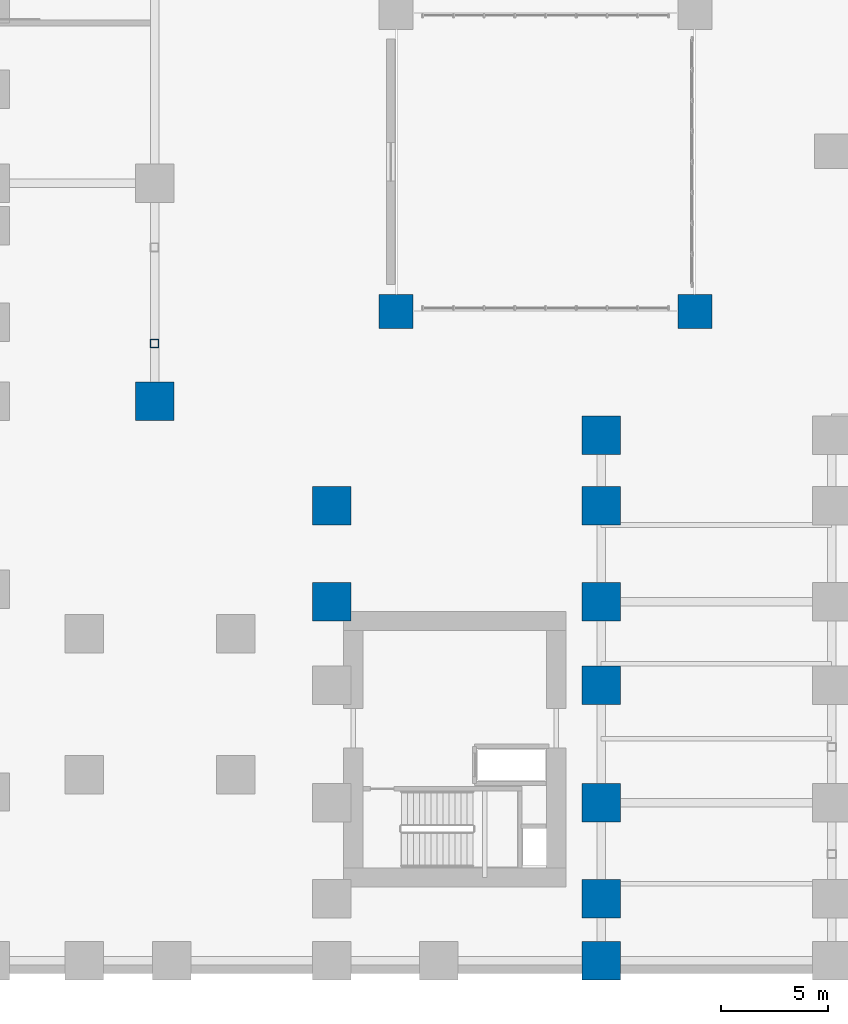
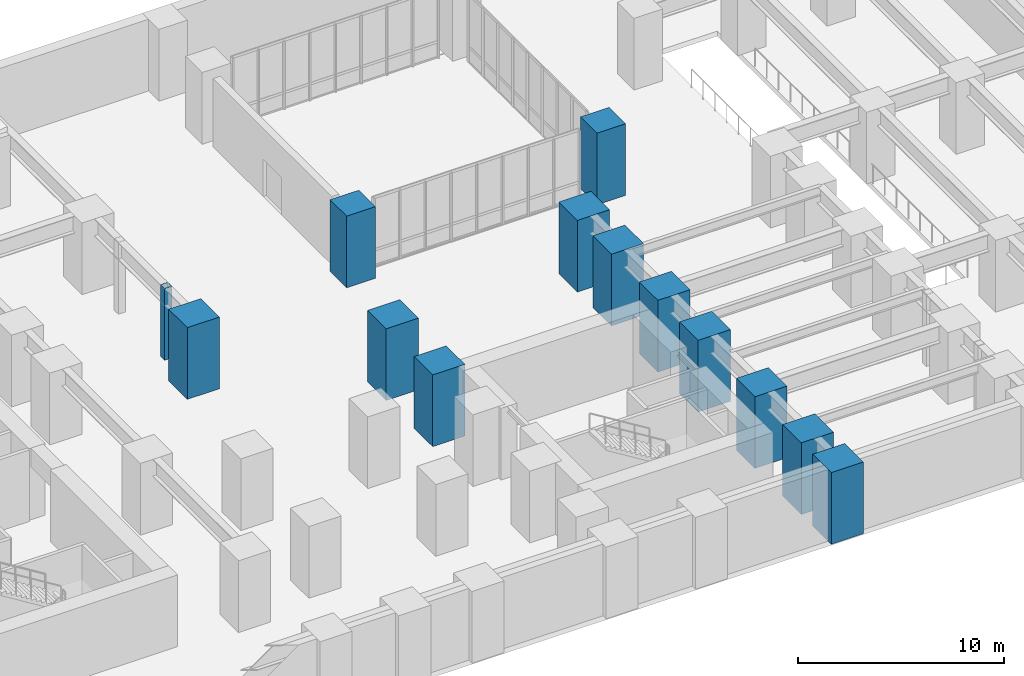
# One storey, part 2 of 18: 13 columns.
"""IFC4 building model written with IfcOpenShell, lengths in metres."""

from ifc_helpers import new_model, si_unit, direction, frame, origin, origin_2d, place, context, subcontext, project, spatial, rectangle, hollow_rectangle, extrude, source, transform, mapped, material, material_profile, profile_set, type_object, element, save


model = new_model("IFC4")

# Units and contexts
model_context = context("Model", 3, precision=1e-05, world=origin(), true_north=direction((0.0, 1.0)))
body_context = subcontext(model_context, "Body", "Model", "MODEL_VIEW")
ifc_project = project(units=[si_unit("LENGTHUNIT", "METRE"), si_unit("AREAUNIT", "SQUARE_METRE"), si_unit("VOLUMEUNIT", "CUBIC_METRE"), si_unit("PLANEANGLEUNIT", "RADIAN"), si_unit("MASSUNIT", "GRAM", prefix="KILO")], contexts=[model_context])

# Site, building, storey
site_placement = place(None, origin())
site = spatial("IfcSite", under=ifc_project, at=site_placement, CompositionType="ELEMENT")
building_placement = place(site_placement, origin())
building = spatial("IfcBuilding", under=site, at=building_placement, Name="Kharzan Plaza Tower", CompositionType="ELEMENT")
storey_placement = place(building_placement, frame((0.0, 0.0, -4.5)))
storey = spatial("IfcBuildingStorey", under=building, at=storey_placement, Name="B01", CompositionType="ELEMENT", Elevation=-4.5)

# Columns
ifc_material_1 = material(Name="Concrete C60/75", Category="concrete")
ifc_material_profile_1 = material_profile(ifc_material_1, rectangle(XDim=1.60009765625, YDim=1.60009765625, at=origin_2d()), Name="RC-MC1600x1600")
ifc_profile_set_1 = profile_set([ifc_material_profile_1], Name="Concrete C60/75")
column_type_1 = type_object("IfcColumnType", Name="COL-BC1600", PredefinedType="COLUMN", material=ifc_profile_set_1)
shared_shape_1 = source(origin(), body_context, "Body", "SweptSolid", [
    extrude(rectangle(XDim=1.60009765625, YDim=1.60009765625, at=origin_2d()), origin(), (0.0, 0.0, 1.0), 4.239990234375),
])
for number, where, z_axis, x_axis, name in (
    (1, (38.0, 31.0, 0.0), (0.0, 0.0, 1.0), (1.0, 0.0, 0.0), "B01 Structural Column BC03"),
    (2, (52.0, 31.0, 0.0), (0.0, 0.0, 1.0), (1.0, 0.0, 0.0), "B01 Structural Column BC04"),
):
    element("IfcColumn", number, at=place(storey_placement, frame(where, z_axis=z_axis, x_axis=x_axis)), inside=storey, type_object=column_type_1, Name=name, PredefinedType="COLUMN", context=body_context, shape_type="MappedRepresentation", body=[
        mapped(shared_shape_1, transform((0.0, 0.0, 0.0), x_axis=(1.0, 0.0, 0.0), y_axis=(0.0, 1.0, 0.0), z_axis=(0.0, 0.0, 1.0))),
    ])
ifc_material_profile_2 = material_profile(ifc_material_1, rectangle(XDim=1.800048828125, YDim=1.800048828125, at=origin_2d()), Name="RC-MC1800x1800")
ifc_profile_set_2 = profile_set([ifc_material_profile_2], Name="Concrete C60/75")
column_type_2 = type_object("IfcColumnType", Name="COL-MC1800", PredefinedType="COLUMN", material=ifc_profile_set_2)
shared_shape_2 = source(origin(), body_context, "Body", "SweptSolid", [
    extrude(rectangle(XDim=1.800048828125, YDim=1.800048828125, at=origin_2d()), origin(), (0.0, 0.0, 1.0), 4.239990234375),
])
for number, where, z_axis, x_axis, name in (
    (3, (47.60009765625, 0.60009765625, 0.0), (0.0, 0.0, 1.0), (1.0, 0.0, 0.0), "B01 Podium Mega-Column MC18"),
    (4, (26.699951171875, 26.800048828125, 0.0), (0.0, 0.0, 1.0), (1.0, 0.0, 0.0), "B01 Podium Mega-Column MC23"),
    (5, (47.60009765625, 3.5, 0.0), (0.0, 0.0, 1.0), (1.0, 0.0, 0.0), "B01 Podium Mega-Column MC31"),
    (6, (47.60009765625, 8.0, 0.0), (0.0, 0.0, 1.0), (1.0, 0.0, 0.0), "B01 Podium Mega-Column MC32"),
    (7, (47.60009765625, 13.5, 0.0), (0.0, 0.0, 1.0), (1.0, 0.0, 0.0), "B01 Podium Mega-Column MC33"),
    (8, (47.60009765625, 17.39990234375, 0.0), (0.0, 0.0, 1.0), (1.0, 0.0, 0.0), "B01 Podium Mega-Column MC34"),
    (9, (47.60009765625, 21.89990234375, 0.0), (0.0, 0.0, 1.0), (1.0, 0.0, 0.0), "B01 Podium Mega-Column MC35"),
    (10, (47.60009765625, 25.199951171875, 0.0), (0.0, 0.0, 1.0), (1.0, 0.0, 0.0), "B01 Podium Mega-Column MC36"),
    (11, (35.0, 17.39990234375, 0.0), (0.0, 0.0, 1.0), (1.0, 0.0, 0.0), "B01 Podium Mega-Column MC48"),
    (12, (35.0, 21.89990234375, 0.0), (0.0, 0.0, 1.0), (1.0, 0.0, 0.0), "B01 Podium Mega-Column MC49"),
):
    element("IfcColumn", number, at=place(storey_placement, frame(where, z_axis=z_axis, x_axis=x_axis)), inside=storey, type_object=column_type_2, Name=name, PredefinedType="COLUMN", context=body_context, shape_type="MappedRepresentation", body=[
        mapped(shared_shape_2, transform((0.0, 0.0, 0.0), x_axis=(1.0, 0.0, 0.0), y_axis=(0.0, 1.0, 0.0), z_axis=(0.0, 0.0, 1.0))),
    ])
ifc_material_2 = material(Name="Steel S355", Category="steel")
ifc_material_profile_3 = material_profile(ifc_material_2, hollow_rectangle(XDim=0.39990234375, YDim=0.39990234375, WallThickness=0.02001953125, at=origin_2d()), Name="SHS400x400x20")
ifc_profile_set_3 = profile_set([ifc_material_profile_3], Name="Steel S355")
column_type_3 = type_object("IfcColumnType", Name="COL-PIL400", PredefinedType="PILASTER", material=ifc_profile_set_3)
shared_shape_3 = source(origin(), body_context, "Body", "SweptSolid", [
    extrude(hollow_rectangle(XDim=0.39990234375, YDim=0.39990234375, WallThickness=0.02001953125, at=origin_2d()), origin(), (0.0, 0.0, 1.0), 4.239990234375),
])
column_placement = place(storey_placement, frame((26.699951171875, 29.5, 0.0), z_axis=(0.0, 0.0, 1.0), x_axis=(1.0, 0.0, 0.0)))
element("IfcColumn", 13, at=column_placement, inside=storey, type_object=column_type_3, Name="B01 Portal Steel Pilaster 1", PredefinedType="PILASTER", context=body_context, shape_type="MappedRepresentation", body=[
    mapped(shared_shape_3, transform((0.0, 0.0, 0.0), x_axis=(1.0, 0.0, 0.0), y_axis=(0.0, 1.0, 0.0), z_axis=(0.0, 0.0, 1.0))),
])

save(model, "model.ifc")
